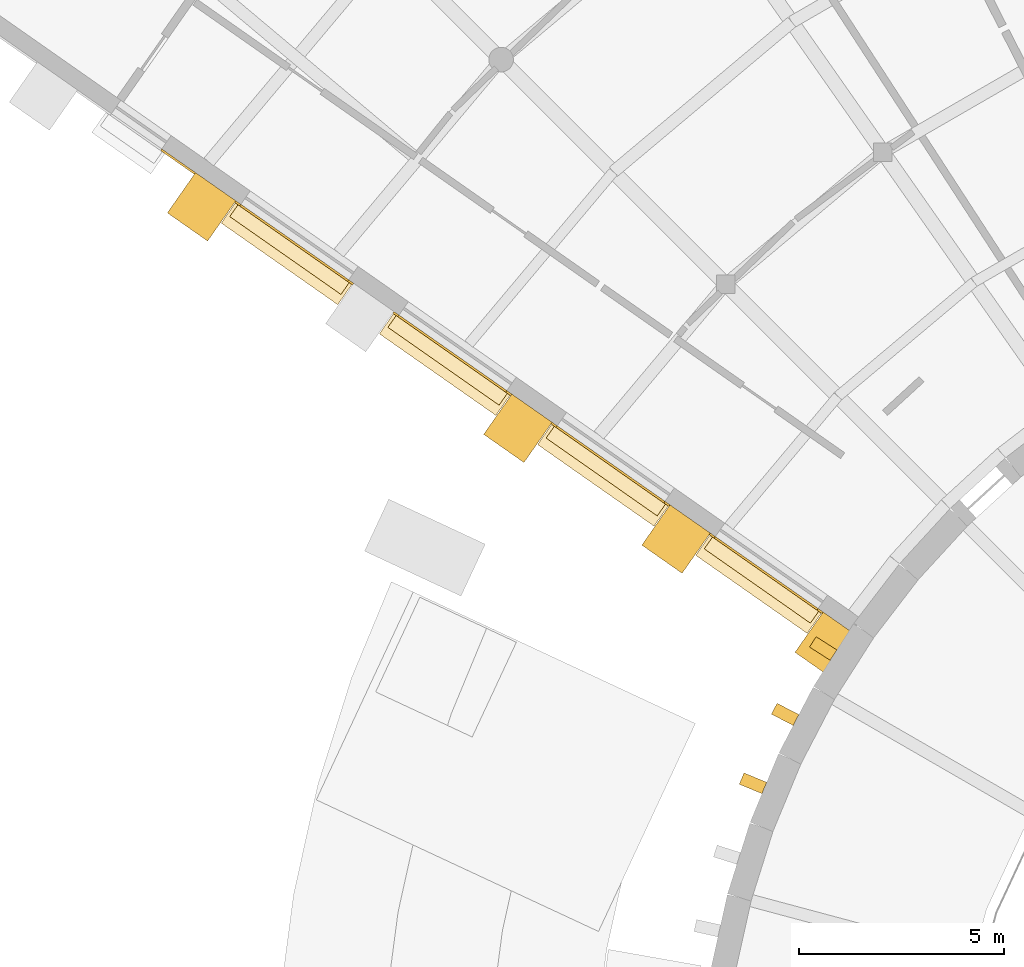
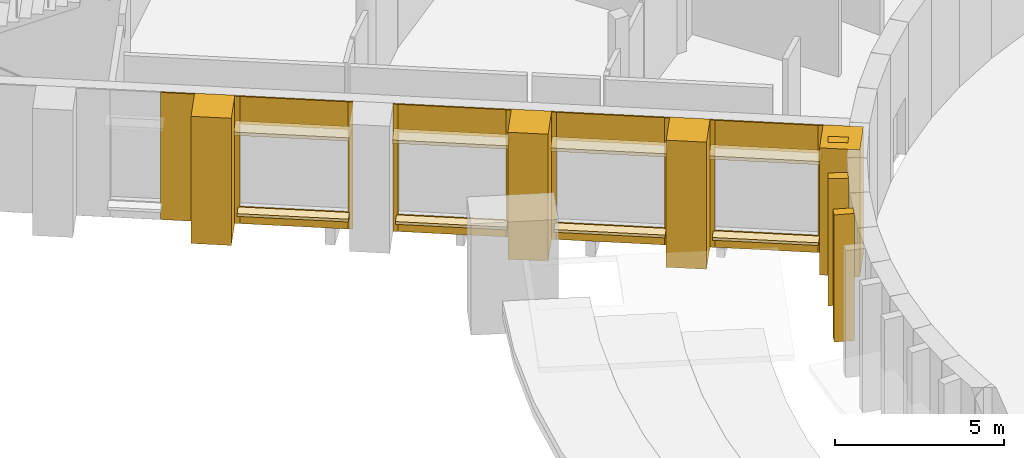
# One storey, part 39 of 50: 32 coverings.
"""IFC4 building model written with IfcOpenShell, lengths in metres."""

from ifc_helpers import new_model, si_unit, direction, frame, origin, origin_2d, place, context, subcontext, project, spatial, polyline, rectangle, outline, extrude, material, layer, layer_set, type_object, element, save


model = new_model("IFC4")

# Units and contexts
model_context = context("Model", 3, precision=1e-05, world=origin(), true_north=direction((0.0, 1.0)))
body_context = subcontext(model_context, "Body", "Model", "MODEL_VIEW")
ifc_project = project(units=[si_unit("LENGTHUNIT", "METRE"), si_unit("AREAUNIT", "SQUARE_METRE"), si_unit("VOLUMEUNIT", "CUBIC_METRE"), si_unit("PLANEANGLEUNIT", "RADIAN"), si_unit("MASSUNIT", "GRAM", prefix="KILO")], contexts=[model_context])

# Site, building, storey
site_placement = place(None, origin())
site = spatial("IfcSite", under=ifc_project, at=site_placement, CompositionType="ELEMENT")
building_placement = place(site_placement, origin())
building = spatial("IfcBuilding", under=site, at=building_placement, Name="Volute Hill Aquarium", CompositionType="ELEMENT")
storey_placement = place(building_placement, frame((0.0, 0.0, 9.199951171875)))
storey = spatial("IfcBuildingStorey", under=building, at=storey_placement, Name="L03", CompositionType="ELEMENT", Elevation=9.199951171875)

# Coverings
ifc_material_1 = material(Name="Precast pale concrete C40/50", Category="concrete")
covering_type_1 = type_object("IfcCoveringType", Name="Drum pier fin 300x600", PredefinedType="CLADDING", material=ifc_material_1)
for number, where, z_axis, x_axis, name in (
    (1, (-17.947509765625, 11.433837890625, 0.0), (0.0, 0.0, 1.0), (-0.537299608347, -0.843391445813, 0.0), "Drum pier fin DF 30 L03"),
    (2, (-18.8759765625, 9.826171875, 0.0), (0.0, 0.0, 1.0), (-0.461748613235, -0.887010833178, 0.0), "Drum pier fin DF 31 L03"),
    (3, (-19.660400390625, 8.1435546875, 0.0), (0.0, 0.0, 1.0), (-0.382683432365, -0.923879532511, 0.0), "Drum pier fin DF 32 L03"),
):
    element("IfcCovering", number, at=place(storey_placement, frame(where, z_axis=z_axis, x_axis=x_axis)), inside=storey, type_object=covering_type_1, Name=name, PredefinedType="CLADDING", context=body_context, shape_type="SweptSolid", body=[
        extrude(rectangle(XDim=0.300048828125, YDim=0.60009765625, at=origin_2d()), origin(), (0.0, 0.0, 1.0), 4.60009765625),
    ])
ifc_material_2 = material(Name="Precast concrete C40/50", Category="concrete")
covering_type_2 = type_object("IfcCoveringType", Name="End wall precast fin C40/50 1200x1200", PredefinedType="CLADDING", material=ifc_material_2)
for number, where, z_axis, x_axis, name in (
    (4, (-17.80029296875, 11.4873046875, 0.0), (0.0, 0.0, 1.0), (-0.819151442029, 0.573577296467, 0.0), "End wall fin EWF S6B L03 1"),
    (5, (-21.538330078125, 14.104736328125, 0.0), (0.0, 0.0, 1.0), (-0.819151442029, 0.573577296467, 0.0), "End wall fin EWF S6B L03 2"),
    (6, (-25.3994140625, 16.80810546875, 0.0), (0.0, 0.0, 1.0), (-0.819151442029, 0.573577296467, 0.0), "End wall fin EWF S6B L03 3"),
    (7, (-33.12109375, 22.215087890625, 0.0), (0.0, 0.0, 1.0), (-0.819151442029, 0.573577296467, 0.0), "End wall fin EWF S6B L03 5"),
):
    element("IfcCovering", number, at=place(storey_placement, frame(where, z_axis=z_axis, x_axis=x_axis)), inside=storey, type_object=covering_type_2, Name=name, PredefinedType="CLADDING", context=body_context, shape_type="SweptSolid", body=[
        extrude(rectangle(XDim=1.199951171875, YDim=1.199951171875, at=origin_2d()), origin(), (0.0, 0.0, 1.0), 4.60009765625),
    ])
ifc_material_3 = material(Name="Precast concrete C40/50", Category="concrete")
ifc_layer_1 = layer(ifc_material_3, 0.050048828125)
ifc_layer_set_1 = layer_set([ifc_layer_1], Name="End wall precast infill panel C40/50 50")
covering_type_3 = type_object("IfcCoveringType", Name="End wall precast infill panel C40/50 50", PredefinedType="CLADDING", material=ifc_layer_set_1)
covering_1_placement = place(storey_placement, frame((-17.947509765625, 12.322998046875, 0.0), z_axis=(0.572588637393, 0.819842821722, 0.0), x_axis=(-0.819842821722, 0.572588637393, 0.0)))
element("IfcCovering", 8, at=covering_1_placement, inside=storey, type_object=covering_type_3, Name="End wall panel EWP S6B L03 1", PredefinedType="CLADDING", context=body_context, shape_type="SweptSolid", body=[
    extrude(outline(polyline([(0.0, 0.0), (0.15008593322998537, 0.0), (0.15008593322998537, 4.60009765625), (0.0, 4.60009765625), (0.0, 0.0)])), origin(), (0.0, 0.0, -1.0), 0.050048828125),
])
covering_2_placement = place(storey_placement, frame((-18.070556640625, 12.408935546875, 0.0), z_axis=(0.573590710881, 0.81914204897, 0.0), x_axis=(-0.81914204897, 0.573590710881, 0.0)))
element("IfcCovering", 9, at=covering_2_placement, inside=storey, type_object=covering_type_3, Name="End wall panel EWP S6B L03 1", PredefinedType="CLADDING", context=body_context, shape_type="SweptSolid", body=[
    extrude(outline(polyline([(0.0, 0.0), (3.0632993958803327, 0.0), (3.0632993958803327, 0.60009765625), (0.0, 0.60009765625), (0.0, 0.0)])), origin(), (0.0, 0.0, -1.0), 0.050048828125),
])
covering_3_placement = place(storey_placement, frame((-18.070556640625, 12.408935546875, 3.60009765625), z_axis=(0.573590710881, 0.81914204897, 0.0), x_axis=(-0.81914204897, 0.573590710881, 0.0)))
element("IfcCovering", 10, at=covering_3_placement, inside=storey, type_object=covering_type_3, Name="End wall panel EWP S6B L03 1", PredefinedType="CLADDING", context=body_context, shape_type="SweptSolid", body=[
    extrude(outline(polyline([(0.0, 0.0), (3.0632993958803327, 0.0), (3.0632993958803327, 1.0), (0.0, 1.0), (0.0, 0.0)])), origin(), (0.0, 0.0, -1.0), 0.050048828125),
])
for number, where, z_axis, x_axis, name in (
    (11, (-20.579833984375, 14.166015625, 0.0), (0.573353020881, 0.819308436089, 0.0), (-0.819308436089, 0.573353020881, 0.0), "End wall panel EWP S6B L03 1"),
    (12, (-21.685791015625, 14.9404296875, 0.0), (0.573353020881, 0.819308436089, 0.0), (-0.819308436089, 0.573353020881, 0.0), "End wall panel EWP S6B L03 2"),
):
    element("IfcCovering", number, at=place(storey_placement, frame(where, z_axis=z_axis, x_axis=x_axis)), inside=storey, type_object=covering_type_3, Name=name, PredefinedType="CLADDING", context=body_context, shape_type="SweptSolid", body=[
        extrude(outline(polyline([(0.0, 0.0), (0.1498858414801972, 0.0), (0.1498858414801972, 4.600097656249999), (0.0, 4.600097656249999), (0.0, 0.0)])), origin(), (0.0, 0.0, -1.0), 0.050048828125),
    ])
covering_4_placement = place(storey_placement, frame((-21.80859375, 15.0263671875, 0.0), z_axis=(0.573579624401, 0.819149811983, 0.0), x_axis=(-0.819149811983, 0.573579624401, 0.0)))
element("IfcCovering", 13, at=covering_4_placement, inside=storey, type_object=covering_type_3, Name="End wall panel EWP S6B L03 2", PredefinedType="CLADDING", context=body_context, shape_type="SweptSolid", body=[
    extrude(outline(polyline([(0.0, 0.0), (3.213185231346031, 0.0), (3.213185231346031, 0.60009765625), (0.0, 0.60009765625), (0.0, 0.0)])), origin(), (0.0, 0.0, -1.0), 0.050048828125),
])
covering_5_placement = place(storey_placement, frame((-21.80859375, 15.0263671875, 3.60009765625), z_axis=(0.573579624401, 0.819149811983, 0.0), x_axis=(-0.819149811983, 0.573579624401, 0.0)))
element("IfcCovering", 14, at=covering_5_placement, inside=storey, type_object=covering_type_3, Name="End wall panel EWP S6B L03 2", PredefinedType="CLADDING", context=body_context, shape_type="SweptSolid", body=[
    extrude(outline(polyline([(0.0, 0.0), (3.2131852313460314, 0.0), (3.2131852313460314, 1.0), (0.0, 1.0), (0.0, 0.0)])), origin(), (0.0, 0.0, -1.0), 0.050048828125),
])
covering_6_placement = place(storey_placement, frame((-24.440673828125, 16.869384765625, 0.0), z_axis=(0.57368046593, 0.819079192149, 0.0), x_axis=(-0.819079192149, 0.57368046593, 0.0)))
element("IfcCovering", 15, at=covering_6_placement, inside=storey, type_object=covering_type_3, Name="End wall panel EWP S6B L03 2", PredefinedType="CLADDING", context=body_context, shape_type="SweptSolid", body=[
    extrude(outline(polyline([(0.0, 0.0), (0.15022585871973665, 0.0), (0.15022585871973665, 4.60009765625), (0.0, 4.60009765625), (0.0, 0.0)])), origin(), (0.0, 0.0, -1.0), 0.050048828125),
])
covering_7_placement = place(storey_placement, frame((-25.546630859375, 17.643798828125, 0.0), z_axis=(0.573353020881, 0.819308436089, 0.0), x_axis=(-0.819308436089, 0.573353020881, 0.0)))
element("IfcCovering", 16, at=covering_7_placement, inside=storey, type_object=covering_type_3, Name="End wall panel EWP S6B L03 3", PredefinedType="CLADDING", context=body_context, shape_type="SweptSolid", body=[
    extrude(outline(polyline([(0.0, 0.0), (0.1498858414801972, 0.0), (0.1498858414801972, 4.600097656249999), (0.0, 4.600097656249999), (0.0, 0.0)])), origin(), (0.0, 0.0, -1.0), 0.050048828125),
])
covering_8_placement = place(storey_placement, frame((-25.66943359375, 17.729736328125, 0.0), z_axis=(0.573594906903, 0.819139110759, 0.0), x_axis=(-0.819139110759, 0.573594906903, 0.0)))
element("IfcCovering", 17, at=covering_8_placement, inside=storey, type_object=covering_type_3, Name="End wall panel EWP S6B L03 3", PredefinedType="CLADDING", context=body_context, shape_type="SweptSolid", body=[
    extrude(outline(polyline([(0.0, 0.0), (3.213525253740353, 0.0), (3.213525253740353, 0.60009765625), (0.0, 0.60009765625), (0.0, 0.0)])), origin(), (0.0, 0.0, -1.0), 0.050048828125),
])
covering_9_placement = place(storey_placement, frame((-25.66943359375, 17.729736328125, 3.60009765625), z_axis=(0.573594906903, 0.819139110759, 0.0), x_axis=(-0.819139110759, 0.573594906903, 0.0)))
element("IfcCovering", 18, at=covering_9_placement, inside=storey, type_object=covering_type_3, Name="End wall panel EWP S6B L03 3", PredefinedType="CLADDING", context=body_context, shape_type="SweptSolid", body=[
    extrude(outline(polyline([(0.0, 0.0), (3.213525253740353, 0.0), (3.213525253740353, 1.0), (0.0, 1.0), (0.0, 0.0)])), origin(), (0.0, 0.0, -1.0), 0.050048828125),
])
covering_10_placement = place(storey_placement, frame((-28.3017578125, 19.572998046875, 0.0), z_axis=(0.573353020881, 0.819308436089, 0.0), x_axis=(-0.819308436089, 0.573353020881, 0.0)))
element("IfcCovering", 19, at=covering_10_placement, inside=storey, type_object=covering_type_3, Name="End wall panel EWP S6B L03 3", PredefinedType="CLADDING", context=body_context, shape_type="SweptSolid", body=[
    extrude(outline(polyline([(0.0, 0.0), (0.1498858414801972, 0.0), (0.1498858414801972, 4.600097656249999), (0.0, 4.600097656249999), (0.0, 0.0)])), origin(), (0.0, 0.0, -1.0), 0.050048828125),
])
covering_11_placement = place(storey_placement, frame((-29.407470703125, 20.34716796875, 0.0), z_axis=(0.57368046593, 0.819079192149, 0.0), x_axis=(-0.819079192149, 0.57368046593, 0.0)))
element("IfcCovering", 20, at=covering_11_placement, inside=storey, type_object=covering_type_3, Name="End wall panel EWP S6B L03 4", PredefinedType="CLADDING", context=body_context, shape_type="SweptSolid", body=[
    extrude(outline(polyline([(0.0, 0.0), (0.15022585871973665, 0.0), (0.15022585871973665, 4.60009765625), (0.0, 4.60009765625), (0.0, 0.0)])), origin(), (0.0, 0.0, -1.0), 0.050048828125),
])
covering_12_placement = place(storey_placement, frame((-29.530517578125, 20.433349609375, 0.0), z_axis=(0.573579624401, 0.819149811983, 0.0), x_axis=(-0.819149811983, 0.573579624401, 0.0)))
element("IfcCovering", 21, at=covering_12_placement, inside=storey, type_object=covering_type_3, Name="End wall panel EWP S6B L03 4", PredefinedType="CLADDING", context=body_context, shape_type="SweptSolid", body=[
    extrude(outline(polyline([(0.0, 0.0), (3.213185231346031, 0.0), (3.213185231346031, 0.60009765625), (0.0, 0.60009765625), (0.0, 0.0)])), origin(), (0.0, 0.0, -1.0), 0.050048828125),
])
covering_13_placement = place(storey_placement, frame((-29.530517578125, 20.433349609375, 3.60009765625), z_axis=(0.573579624401, 0.819149811983, 0.0), x_axis=(-0.819149811983, 0.573579624401, 0.0)))
element("IfcCovering", 22, at=covering_13_placement, inside=storey, type_object=covering_type_3, Name="End wall panel EWP S6B L03 4", PredefinedType="CLADDING", context=body_context, shape_type="SweptSolid", body=[
    extrude(outline(polyline([(0.0, 0.0), (3.2131852313460314, 0.0), (3.2131852313460314, 1.0), (0.0, 1.0), (0.0, 0.0)])), origin(), (0.0, 0.0, -1.0), 0.050048828125),
])
covering_14_placement = place(storey_placement, frame((-32.16259765625, 22.2763671875, 0.0), z_axis=(0.574444878118, 0.818543268254, 0.0), x_axis=(-0.818543268254, 0.574444878118, 0.0)))
element("IfcCovering", 23, at=covering_14_placement, inside=storey, type_object=covering_type_3, Name="End wall panel EWP S6B L03 4", PredefinedType="CLADDING", context=body_context, shape_type="SweptSolid", body=[
    extrude(outline(polyline([(0.0, 0.0), (0.150025953590682, 0.0), (0.150025953590682, 4.600097656250001), (0.0, 4.600097656250001), (0.0, 0.0)])), origin(), (0.0, 0.0, -1.0), 0.050048828125),
])
covering_15_placement = place(storey_placement, frame((-33.2685546875, 23.05078125, 0.0), z_axis=(0.573641397746, 0.819106553991, 0.0), x_axis=(-0.819106553991, 0.573641397746, 0.0)))
element("IfcCovering", 24, at=covering_15_placement, inside=storey, type_object=covering_type_3, Name="End wall panel EWP S6B L03 5", PredefinedType="CLADDING", context=body_context, shape_type="SweptSolid", body=[
    extrude(outline(polyline([(0.0, 0.0), (1.0065392427975994, 0.0), (1.0065392427975994, 4.60009765625), (0.0, 4.60009765625), (0.0, 0.0)])), origin(), (0.0, 0.0, -1.0), 0.050048828125),
])
ifc_material_4 = material(Name="Precast concrete C40/50", Category="concrete")
ifc_layer_2 = layer(ifc_material_4, 0.1201171875)
ifc_layer_set_2 = layer_set([ifc_layer_2], Name="End wall window head blade precast C40/50 600x120")
covering_type_4 = type_object("IfcCoveringType", Name="End wall window head blade precast C40/50 600x120", PredefinedType="CLADDING", material=ifc_layer_set_2)
covering_16_placement = place(storey_placement, frame((-19.52587890625, 13.000732421875, 3.60009765625), z_axis=(0.0, 0.0, 1.0), x_axis=(-0.819151442029, 0.573577296467, 0.0)))
element("IfcCovering", 25, at=covering_16_placement, inside=storey, type_object=covering_type_4, Name="End wall window head blade EWB S6B L03 1.1", PredefinedType="CLADDING", context=body_context, shape_type="SweptSolid", body=[
    extrude(rectangle(XDim=3.3232421875, YDim=0.60009765625, at=origin_2d()), origin(), (0.0, 0.0, 1.0), 0.1201171875),
])
for number, where, z_axis, x_axis, name in (
    (26, (-23.325439453125, 15.6611328125, 3.60009765625), (0.0, 0.0, 1.0), (-0.819151442029, 0.573577296467, 0.0), "End wall window head blade EWB S6B L03 2.1"),
    (27, (-27.1865234375, 18.36474609375, 3.60009765625), (0.0, 0.0, 1.0), (-0.819151442029, 0.573577296467, 0.0), "End wall window head blade EWB S6B L03 3.1"),
    (28, (-31.04736328125, 21.068115234375, 3.60009765625), (0.0, 0.0, 1.0), (-0.819151442029, 0.573577296467, 0.0), "End wall window head blade EWB S6B L03 4.1"),
):
    element("IfcCovering", number, at=place(storey_placement, frame(where, z_axis=z_axis, x_axis=x_axis)), inside=storey, type_object=covering_type_4, Name=name, PredefinedType="CLADDING", context=body_context, shape_type="SweptSolid", body=[
        extrude(rectangle(XDim=3.473388671875, YDim=0.60009765625, at=origin_2d()), origin(), (0.0, 0.0, 1.0), 0.1201171875),
    ])
ifc_material_5 = material(Name="Precast concrete C40/50", Category="concrete")
ifc_layer_3 = layer(ifc_material_5, 0.10009765625)
ifc_layer_set_3 = layer_set([ifc_layer_3], Name="End wall window sill precast C40/50 350x100")
covering_type_5 = type_object("IfcCoveringType", Name="End wall window sill precast C40/50 350x100", PredefinedType="CLADDING", material=ifc_layer_set_3)
covering_17_placement = place(storey_placement, frame((-19.454345703125, 13.10302734375, 0.5), z_axis=(0.0, 0.0, 1.0), x_axis=(-0.819151442029, 0.573577296467, 0.0)))
element("IfcCovering", 29, at=covering_17_placement, inside=storey, type_object=covering_type_5, Name="End wall window sill EWS S6B L03 1.1", PredefinedType="CLADDING", context=body_context, shape_type="SweptSolid", body=[
    extrude(rectangle(XDim=3.163330078125, YDim=0.35009765625, at=origin_2d()), origin(), (0.0, 0.0, 1.0), 0.10009765625),
])
for number, where, z_axis, x_axis, name in (
    (30, (-23.253662109375, 15.763671875, 0.5), (0.0, 0.0, 1.0), (-0.819151442029, 0.573577296467, 0.0), "End wall window sill EWS S6B L03 2.1"),
    (31, (-27.11474609375, 18.467041015625, 0.5), (0.0, 0.0, 1.0), (-0.819151442029, 0.573577296467, 0.0), "End wall window sill EWS S6B L03 3.1"),
    (32, (-30.9755859375, 21.17041015625, 0.5), (0.0, 0.0, 1.0), (-0.819151442029, 0.573577296467, 0.0), "End wall window sill EWS S6B L03 4.1"),
):
    element("IfcCovering", number, at=place(storey_placement, frame(where, z_axis=z_axis, x_axis=x_axis)), inside=storey, type_object=covering_type_5, Name=name, PredefinedType="CLADDING", context=body_context, shape_type="SweptSolid", body=[
        extrude(rectangle(XDim=3.313232421875, YDim=0.35009765625, at=origin_2d()), origin(), (0.0, 0.0, 1.0), 0.10009765625),
    ])

save(model, "model.ifc")
